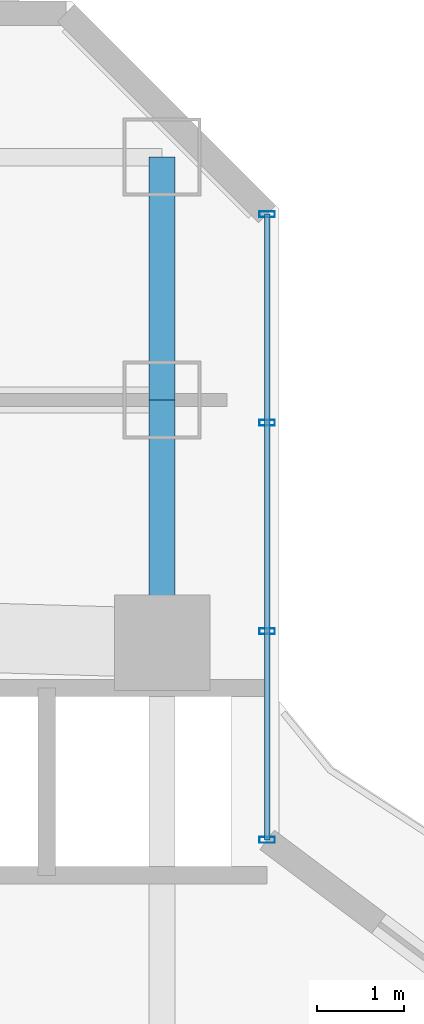
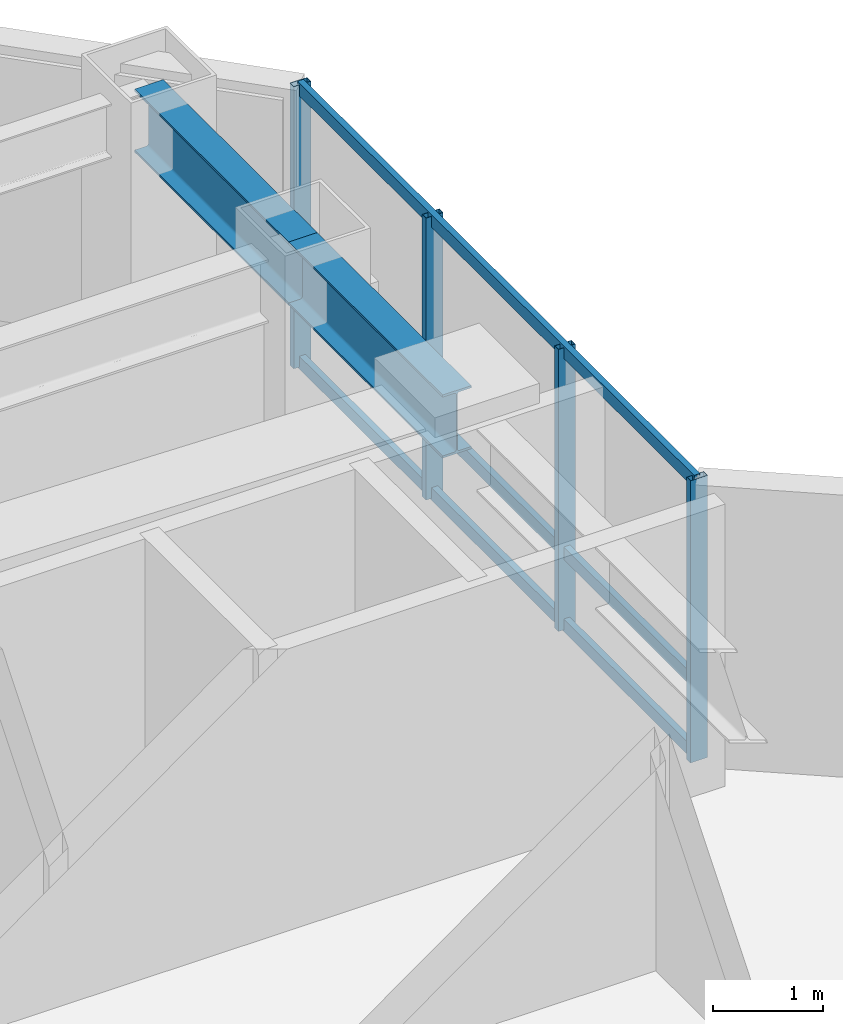
# One storey, part 19 of 30: 7 members, 2 beams, 1 element without a shape of its own.
"""IFC4 building model written with IfcOpenShell, lengths in metres."""

from ifc_helpers import new_model, si_unit, direction, frame, origin, origin_2d, place, context, subcontext, project, spatial, hollow_rectangle, i_section, extrude, material, layer, layer_set, material_profile, profile_set, type_object, element, aggregate, save


model = new_model("IFC4")

# Units and contexts
model_context = context("Model", 3, precision=1e-05, world=origin(), true_north=direction((0.0, 1.0)))
body_context = subcontext(model_context, "Body", "Model", "MODEL_VIEW")
ifc_project = project(units=[si_unit("LENGTHUNIT", "METRE"), si_unit("AREAUNIT", "SQUARE_METRE"), si_unit("VOLUMEUNIT", "CUBIC_METRE"), si_unit("PLANEANGLEUNIT", "RADIAN"), si_unit("MASSUNIT", "GRAM", prefix="KILO")], contexts=[model_context])

# Site, building, storey
site_placement = place(None, origin())
site = spatial("IfcSite", under=ifc_project, at=site_placement, CompositionType="ELEMENT")
building_placement = place(site_placement, origin())
building = spatial("IfcBuilding", under=site, at=building_placement, Name="Hatsunagi Terrace Concourse", CompositionType="ELEMENT")
storey_placement = place(building_placement, frame((0.0, 0.0, 74.60009765625)))
storey = spatial("IfcBuildingStorey", under=building, at=storey_placement, Name="L19", CompositionType="ELEMENT", Elevation=74.60009765625)

# Curtain wall, members
ifc_material_1 = material(Name="Anodised Aluminium Alloy 6063-T5", Category="aluminium")
ifc_layer = layer(ifc_material_1, 0.199951171875)
ifc_layer_set = layer_set([ifc_layer], Name="HotelFacade_CW02")
curtain_wall_type = type_object("IfcCurtainWallType", Name="HotelFacade_CW02", PredefinedType="NOTDEFINED", material=ifc_layer_set)
curtain_wall_placement = place(storey_placement, origin())
curtain_wall = element("IfcCurtainWall", 1, at=curtain_wall_placement, inside=storey, type_object=curtain_wall_type, Name="Unitised Curtain Wall CW-02 CW-L19-13", PredefinedType="NOTDEFINED")
ifc_material_2 = material(Name="Anodised Aluminium Alloy 6063-T5", Category="aluminium")
ifc_material_profile_1 = material_profile(ifc_material_2, hollow_rectangle(XDim=0.070068359375, YDim=0.179931640625, WallThickness=0.00390625, at=origin_2d()), Name="ALU-MUL-180x70x4")
ifc_profile_set_1 = profile_set([ifc_material_profile_1], Name="Anodised Aluminium Alloy 6063-T5")
member_type_1 = type_object("IfcMemberType", Name="CurtainWallMullion_180x70", PredefinedType="MULLION", material=ifc_profile_set_1)
member_1_placement = place(storey_placement, frame((44.860107421875, 47.94189453125, 0.0), z_axis=(0.0, 0.0, 1.0), x_axis=(0.0, -1.0, 0.0)))
member_1 = element("IfcMember", 2, at=member_1_placement, type_object=member_type_1, Name="Curtain Wall Mullion MUL-02", PredefinedType="MULLION", context=body_context, shape_type="SweptSolid", body=[
    extrude(hollow_rectangle(XDim=0.070068359375, YDim=0.179931640625, WallThickness=0.00390625, at=origin_2d()), origin(), (0.0, 0.0, 1.0), 3.1298828125),
])
member_2_placement = place(storey_placement, frame((44.860107421875, 45.5380859375, 0.0), z_axis=(0.0, 0.0, 1.0), x_axis=(0.0, -1.0, 0.0)))
member_2 = element("IfcMember", 3, at=member_2_placement, type_object=member_type_1, Name="Curtain Wall Mullion MUL-02", PredefinedType="MULLION", context=body_context, shape_type="SweptSolid", body=[
    extrude(hollow_rectangle(XDim=0.070068359375, YDim=0.179931640625, WallThickness=0.00390625, at=origin_2d()), origin(), (0.0, 0.0, 1.0), 3.1298828125),
])
member_3_placement = place(storey_placement, frame((44.860107421875, 43.134033203125, 0.0), z_axis=(0.0, 0.0, 1.0), x_axis=(0.0, -1.0, 0.0)))
member_3 = element("IfcMember", 4, at=member_3_placement, type_object=member_type_1, Name="Curtain Wall Mullion MUL-02", PredefinedType="MULLION", context=body_context, shape_type="SweptSolid", body=[
    extrude(hollow_rectangle(XDim=0.070068359375, YDim=0.179931640625, WallThickness=0.00390625, at=origin_2d()), origin(), (0.0, 0.0, 1.0), 3.1298828125),
])
member_4_placement = place(storey_placement, frame((44.860107421875, 40.72998046875, 0.0), z_axis=(0.0, 0.0, 1.0), x_axis=(0.0, -1.0, 0.0)))
member_4 = element("IfcMember", 5, at=member_4_placement, type_object=member_type_1, Name="Curtain Wall Mullion MUL-02", PredefinedType="MULLION", context=body_context, shape_type="SweptSolid", body=[
    extrude(hollow_rectangle(XDim=0.070068359375, YDim=0.179931640625, WallThickness=0.00390625, at=origin_2d()), origin(), (0.0, 0.0, 1.0), 3.1298828125),
])
ifc_material_3 = material(Name="Anodised Aluminium Alloy 6063-T5", Category="aluminium")
ifc_material_profile_2 = material_profile(ifc_material_3, hollow_rectangle(XDim=0.06494140625, YDim=0.139892578125, WallThickness=0.00390625, at=origin_2d()), Name="ALU-TRN-140x65x4")
ifc_profile_set_2 = profile_set([ifc_material_profile_2], Name="Anodised Aluminium Alloy 6063-T5")
member_type_2 = type_object("IfcMemberType", Name="CurtainWallTransom_140x65", PredefinedType="USERDEFINED", material=ifc_profile_set_2)
member_5_placement = place(storey_placement, frame((44.860107421875, 47.94189453125, 0.0498046875), z_axis=(0.0, -1.0, 0.0), x_axis=(1.0, 0.0, 0.0)))
member_5 = element("IfcMember", 6, at=member_5_placement, type_object=member_type_2, Name="Curtain Wall Transom TRN-02", ObjectType="TRANSOM", PredefinedType="USERDEFINED", context=body_context, shape_type="SweptSolid", body=[
    extrude(hollow_rectangle(XDim=0.06494140625, YDim=0.139892578125, WallThickness=0.00390625, at=origin_2d()), origin(), (0.0, 0.0, 1.0), 7.2119140625),
])
member_6_placement = place(storey_placement, frame((44.860107421875, 47.94189453125, 0.849853515625), z_axis=(0.0, -1.0, 0.0), x_axis=(1.0, 0.0, 0.0)))
member_6 = element("IfcMember", 7, at=member_6_placement, type_object=member_type_2, Name="Curtain Wall Transom TRN-02", ObjectType="TRANSOM", PredefinedType="USERDEFINED", context=body_context, shape_type="SweptSolid", body=[
    extrude(hollow_rectangle(XDim=0.06494140625, YDim=0.139892578125, WallThickness=0.00390625, at=origin_2d()), origin(), (0.0, 0.0, 1.0), 7.2119140625),
])
member_7_placement = place(storey_placement, frame((44.860107421875, 47.94189453125, 3.079833984375), z_axis=(0.0, -1.0, 0.0), x_axis=(1.0, 0.0, 0.0)))
member_7 = element("IfcMember", 8, at=member_7_placement, type_object=member_type_2, Name="Curtain Wall Transom TRN-02", ObjectType="TRANSOM", PredefinedType="USERDEFINED", context=body_context, shape_type="SweptSolid", body=[
    extrude(hollow_rectangle(XDim=0.06494140625, YDim=0.139892578125, WallThickness=0.00390625, at=origin_2d()), origin(), (0.0, 0.0, 1.0), 7.2119140625),
])
aggregate(curtain_wall, [member_1, member_2, member_3, member_4, member_5, member_6, member_7])

# Beams
ifc_material_4 = material(Name="Steel SN490B", Category="steel")
ifc_material_profile_3 = material_profile(ifc_material_4, i_section(OverallWidth=0.300048828125, OverallDepth=0.699951171875, WebThickness=0.012939453125, FlangeThickness=0.02392578125, FilletRadius=0.02197265625, at=origin_2d()), Name="H-700x300x13x24")
ifc_profile_set_3 = profile_set([ifc_material_profile_3], Name="Steel SN490B")
beam_type = type_object("IfcBeamType", Name="HotelFloorGirder_H_700x300", PredefinedType="BEAM", material=ifc_profile_set_3)
for number, where, z_axis, x_axis, name in (
    (9, (43.64990234375, 43.0, 2.77978515625), (0.0, 1.0, 0.0), (-1.0, 0.0, 0.0), "Beam G-04 BM-L19-CN3"),
    (10, (43.64990234375, 45.800048828125, 2.77978515625), (0.0, 1.0, 0.0), (-1.0, 0.0, 0.0), "Beam G-04 BM-L19-KN-WN6"),
):
    element("IfcBeam", number, at=place(storey_placement, frame(where, z_axis=z_axis, x_axis=x_axis)), inside=storey, type_object=beam_type, Name=name, PredefinedType="BEAM", context=body_context, shape_type="SweptSolid", body=[
        extrude(i_section(OverallWidth=0.300048828125, OverallDepth=0.699951171875, WebThickness=0.012939453125, FlangeThickness=0.02392578125, FilletRadius=0.02197265625, at=origin_2d()), origin(), (0.0, 0.0, 1.0), 2.800048828125),
    ])

save(model, "model.ifc")
